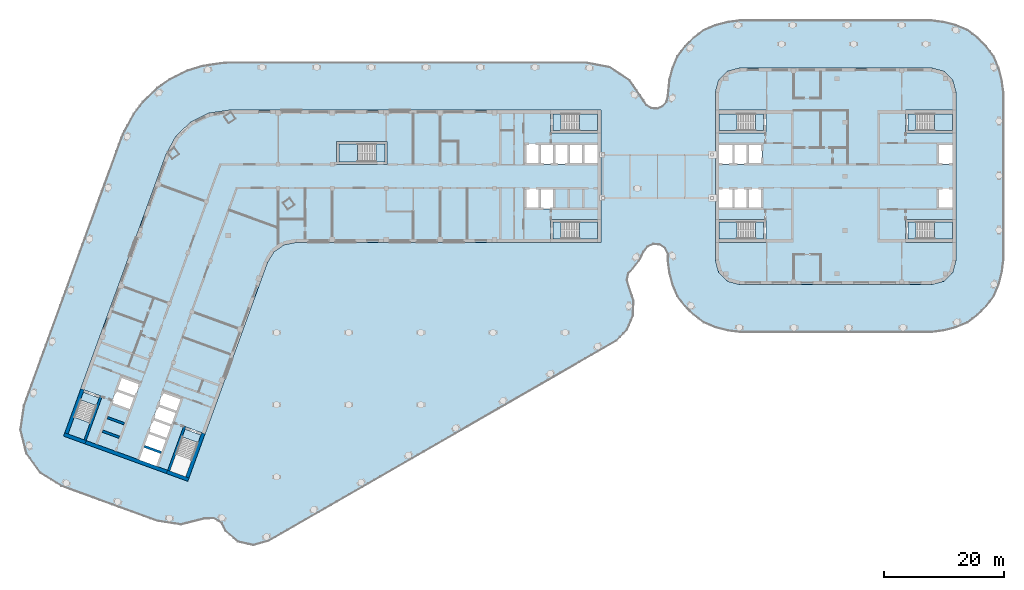
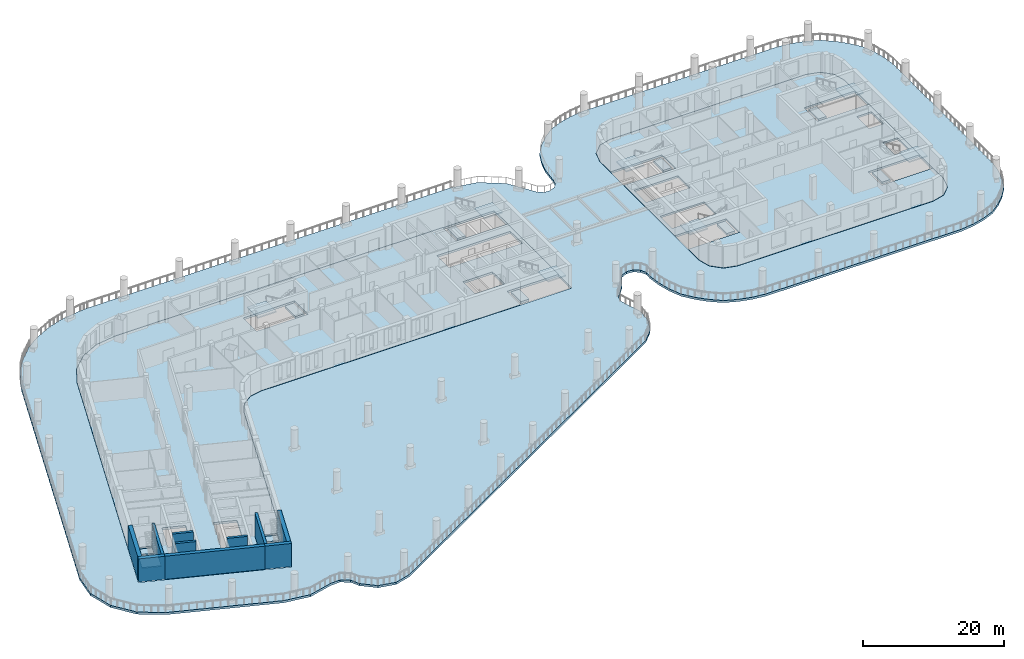
# One storey, part 2 of 18: 20 slabs, 10 walls, 8 elements without a shape of their own.
"""IFC4 building model written with IfcOpenShell, lengths in metres."""

from ifc_helpers import new_model, si_unit, direction, frame, frame_2d, origin, place, context, subcontext, project, spatial, polyline, rectangle, outline, extrude, material, layer, layer_set, type_object, element, aggregate, save


model = new_model("IFC4")

# Units and contexts
model_context = context("Model", 3, precision=1e-05, world=origin(), true_north=direction((0.0, 1.0)))
body_context = subcontext(model_context, "Body", "Model", "MODEL_VIEW")
ifc_project = project(units=[si_unit("LENGTHUNIT", "METRE"), si_unit("AREAUNIT", "SQUARE_METRE"), si_unit("VOLUMEUNIT", "CUBIC_METRE"), si_unit("PLANEANGLEUNIT", "RADIAN"), si_unit("MASSUNIT", "GRAM", prefix="KILO")], contexts=[model_context])

# Site, building, storey
site_placement = place(None, origin())
site = spatial("IfcSite", under=ifc_project, at=site_placement, CompositionType="ELEMENT")
building_placement = place(site_placement, origin())
building = spatial("IfcBuilding", under=site, at=building_placement, Name="Skarvind Civic Tower", CompositionType="ELEMENT")
storey_placement = place(building_placement, frame((0.0, 0.0, 27.5)))
storey = spatial("IfcBuildingStorey", under=building, at=storey_placement, Name="L05", CompositionType="ELEMENT", Elevation=27.5)

# Slabs
ifc_material_1 = material(Name="Concrete C50", Category="concrete")
ifc_layer_1 = layer(ifc_material_1, 0.375)
ifc_layer_set_1 = layer_set([ifc_layer_1], Name="Floor slab 375 C50")
slab_type_1 = type_object("IfcSlabType", Name="Floor slab 375 C50", PredefinedType="FLOOR", material=ifc_layer_set_1)
slab_1_placement = place(storey_placement, frame((0.0, 0.0, -0.375)))
element("IfcSlab", 1, at=slab_1_placement, inside=storey, type_object=slab_type_1, Name="Floor slab L05 1", PredefinedType="FLOOR", context=body_context, shape_type="SweptSolid", body=[
    extrude(outline(polyline([(99.60009765625, 117.0), (99.60009765625, 120.800048828125), (108.0, 120.800048828125), (108.0, 135.199951171875), (99.60009765625, 135.199951171875), (99.60009765625, 139.0), (46.095458984375, 139.0), (42.739501953125, 138.5009765625), (39.6943359375, 137.005615234375), (37.24755859375, 134.6552734375), (35.630615234375, 131.672607421875), (19.41748046875, 87.126708984375), (21.435302734375, 92.6708984375), (25.006103515625, 91.371337890625), (22.13330078125, 83.477783203125), (36.886474609375, 78.108154296875), (35.664794921875, 78.552734375), (38.53759765625, 86.4462890625), (42.108642578125, 85.146484375), (40.0908203125, 79.602294921875), (40.0908203125, 79.602294921875), (52.493896484375, 113.68017578125), (53.560791015625, 115.421630859375), (55.23388671875, 116.593017578125), (57.235107421875, 117.0), (99.60009765625, 117.0)]), holes=[polyline([(32.625244140625, 85.40576171875), (33.446044921875, 87.660888671875), (34.26708984375, 89.916259765625), (35.087890625, 92.17138671875), (38.28271484375, 91.008544921875), (37.4619140625, 88.75341796875), (36.64111328125, 86.498046875), (35.8203125, 84.242919921875), (35.8203125, 84.242919921875), (34.99951171875, 81.987548828125), (34.178466796875, 79.732421875), (30.983642578125, 80.89501953125), (31.804443359375, 83.150390625), (32.625244140625, 85.40576171875), (32.625244140625, 85.40576171875)]), polyline([(31.3291015625, 93.53955078125), (30.50830078125, 91.2841796875), (29.6875, 89.029052734375), (26.492431640625, 90.19189453125), (27.313232421875, 92.447021484375), (28.134033203125, 94.702392578125), (31.3291015625, 93.53955078125)]), polyline([(64.0, 130.0), (64.0, 133.800048828125), (72.39990234375, 133.800048828125), (72.39990234375, 130.0), (64.0, 130.0)]), polyline([(100.199951171875, 126.0), (100.199951171875, 122.60009765625), (97.800048828125, 122.60009765625), (95.39990234375, 122.60009765625), (95.39990234375, 126.0), (97.800048828125, 126.0), (100.199951171875, 126.0)]), polyline([(100.199951171875, 133.39990234375), (102.60009765625, 133.39990234375), (105.0, 133.39990234375), (107.39990234375, 133.39990234375), (107.39990234375, 130.0), (105.0, 130.0), (102.60009765625, 130.0), (100.199951171875, 130.0), (97.800048828125, 130.0), (95.39990234375, 130.0), (95.39990234375, 133.39990234375), (97.800048828125, 133.39990234375), (100.199951171875, 133.39990234375)])]), origin(), (0.0, 0.0, 1.0), 0.375),
])
ifc_layer_2 = layer(ifc_material_1, 0.324951171875)
ifc_layer_set_2 = layer_set([ifc_layer_2], Name="Second tower floor slab 325 C50")
slab_type_2 = type_object("IfcSlabType", Name="Second tower floor slab 325 C50", PredefinedType="FLOOR", material=ifc_layer_set_2)
slab_2_placement = place(storey_placement, frame((0.0, 0.0, -0.324951171875)))
element("IfcSlab", 2, at=slab_2_placement, inside=storey, type_object=slab_type_2, Name="Floor slab L05 1", PredefinedType="FLOOR", context=body_context, shape_type="SweptSolid", body=[
    extrude(outline(polyline([(127.0, 139.0), (135.39990234375, 139.0), (135.39990234375, 135.199951171875), (127.0, 135.199951171875), (127.0, 120.800048828125), (135.39990234375, 120.800048828125), (135.39990234375, 117.0), (127.0, 117.0), (127.0, 114.0), (127.535888671875, 112.0), (129.0, 110.535888671875), (131.0, 110.0), (163.0, 110.0), (165.0, 110.535888671875), (166.464111328125, 112.0), (167.0, 114.0), (167.0, 117.0), (158.60009765625, 117.0), (158.60009765625, 120.800048828125), (167.0, 120.800048828125), (167.0, 135.199951171875), (158.60009765625, 135.199951171875), (158.60009765625, 139.0), (167.0, 139.0), (167.0, 142.0), (166.464111328125, 144.0), (165.0, 145.464111328125), (163.0, 146.0), (131.0, 146.0), (129.0, 145.464111328125), (127.535888671875, 144.0), (127.0, 142.0), (127.0, 139.0)]), holes=[polyline([(132.39990234375, 126.0), (134.800048828125, 126.0), (134.800048828125, 122.60009765625), (132.39990234375, 122.60009765625), (130.0, 122.60009765625), (127.60009765625, 122.60009765625), (127.60009765625, 126.0), (130.0, 126.0), (132.39990234375, 126.0)]), polyline([(130.0, 133.39990234375), (132.39990234375, 133.39990234375), (134.800048828125, 133.39990234375), (134.800048828125, 130.0), (132.39990234375, 130.0), (130.0, 130.0), (127.60009765625, 130.0), (127.60009765625, 133.39990234375), (130.0, 133.39990234375)]), polyline([(166.39990234375, 126.0), (166.39990234375, 122.60009765625), (164.0, 122.60009765625), (164.0, 126.0), (166.39990234375, 126.0)]), polyline([(166.39990234375, 133.39990234375), (166.39990234375, 130.0), (164.0, 130.0), (164.0, 133.39990234375), (166.39990234375, 133.39990234375)])]), origin(), (0.0, 0.0, 1.0), 0.324951171875),
])
ifc_material_2 = material(Name="Concrete C40/50", Category="concrete")
ifc_layer_3 = layer(ifc_material_2, 0.375)
ifc_layer_set_3 = layer_set([ifc_layer_3], Name="Stair floor landing slab 375")
slab_type_3 = type_object("IfcSlabType", Name="Stair floor landing slab 375", PredefinedType="LANDING", material=ifc_layer_set_3)
slab_3_placement = place(storey_placement, frame((0.0, 0.0, -0.375)))
element("IfcSlab", 3, at=slab_3_placement, inside=storey, type_object=slab_type_3, Name="Stair floor landing", PredefinedType="LANDING", context=body_context, shape_type="SweptSolid", body=[
    extrude(outline(polyline([(101.3505859375, 138.400634765625), (101.3505859375, 135.599365234375), (99.99951171875, 135.599365234375), (99.99951171875, 138.400634765625), (101.3505859375, 138.400634765625)])), origin(), (0.0, 0.0, 1.0), 0.375),
])
slab_4_placement = place(storey_placement, frame((0.0, 0.0, -0.375)))
element("IfcSlab", 4, at=slab_4_placement, inside=storey, type_object=slab_type_3, Name="Stair floor landing", PredefinedType="LANDING", context=body_context, shape_type="SweptSolid", body=[
    extrude(outline(polyline([(101.3505859375, 120.400634765625), (101.3505859375, 117.599365234375), (99.99951171875, 117.599365234375), (99.99951171875, 120.400634765625), (101.3505859375, 120.400634765625)])), origin(), (0.0, 0.0, 1.0), 0.375),
])
slab_5_placement = place(storey_placement, frame((0.0, 0.0, -0.375)))
element("IfcSlab", 5, at=slab_5_placement, inside=storey, type_object=slab_type_3, Name="Stair floor landing", PredefinedType="LANDING", context=body_context, shape_type="SweptSolid", body=[
    extrude(outline(polyline([(40.946533203125, 83.70654296875), (38.314208984375, 84.66455078125), (38.7763671875, 85.934326171875), (41.40869140625, 84.976318359375), (40.946533203125, 83.70654296875)])), origin(), (0.0, 0.0, 1.0), 0.375),
])
slab_6_placement = place(storey_placement, frame((0.0, 0.0, -0.375)))
element("IfcSlab", 6, at=slab_6_placement, inside=storey, type_object=slab_type_3, Name="Stair floor landing", PredefinedType="LANDING", context=body_context, shape_type="SweptSolid", body=[
    extrude(outline(polyline([(24.0322265625, 89.863037109375), (21.39990234375, 90.821044921875), (21.862060546875, 92.090576171875), (24.494384765625, 91.132568359375), (24.0322265625, 89.863037109375)])), origin(), (0.0, 0.0, 1.0), 0.375),
])
slab_7_placement = place(storey_placement, frame((0.0, 0.0, -0.375)))
element("IfcSlab", 7, at=slab_7_placement, inside=storey, type_object=slab_type_3, Name="Stair floor landing", PredefinedType="LANDING", context=body_context, shape_type="SweptSolid", body=[
    extrude(outline(polyline([(133.6494140625, 117.599365234375), (133.6494140625, 120.400634765625), (135.00048828125, 120.400634765625), (135.00048828125, 117.599365234375), (133.6494140625, 117.599365234375)])), origin(), (0.0, 0.0, 1.0), 0.375),
])
slab_8_placement = place(storey_placement, frame((0.0, 0.0, -0.375)))
element("IfcSlab", 8, at=slab_8_placement, inside=storey, type_object=slab_type_3, Name="Stair floor landing", PredefinedType="LANDING", context=body_context, shape_type="SweptSolid", body=[
    extrude(outline(polyline([(133.6494140625, 135.599365234375), (133.6494140625, 138.400634765625), (135.00048828125, 138.400634765625), (135.00048828125, 135.599365234375), (133.6494140625, 135.599365234375)])), origin(), (0.0, 0.0, 1.0), 0.375),
])
slab_9_placement = place(storey_placement, frame((0.0, 0.0, -0.375)))
element("IfcSlab", 9, at=slab_9_placement, inside=storey, type_object=slab_type_3, Name="Stair floor landing", PredefinedType="LANDING", context=body_context, shape_type="SweptSolid", body=[
    extrude(outline(polyline([(160.3505859375, 138.400634765625), (160.3505859375, 135.599365234375), (158.99951171875, 135.599365234375), (158.99951171875, 138.400634765625), (160.3505859375, 138.400634765625)])), origin(), (0.0, 0.0, 1.0), 0.375),
])
slab_10_placement = place(storey_placement, frame((0.0, 0.0, -0.375)))
element("IfcSlab", 10, at=slab_10_placement, inside=storey, type_object=slab_type_3, Name="Stair floor landing", PredefinedType="LANDING", context=body_context, shape_type="SweptSolid", body=[
    extrude(outline(polyline([(160.3505859375, 120.400634765625), (160.3505859375, 117.599365234375), (158.99951171875, 117.599365234375), (158.99951171875, 120.400634765625), (160.3505859375, 120.400634765625)])), origin(), (0.0, 0.0, 1.0), 0.375),
])
slab_11_placement = place(storey_placement, frame((0.0, 0.0, -0.375)))
element("IfcSlab", 11, at=slab_11_placement, inside=storey, type_object=slab_type_3, Name="Stair floor landing", PredefinedType="LANDING", context=body_context, shape_type="SweptSolid", body=[
    extrude(outline(polyline([(70.54931640625, 130.3994140625), (70.54931640625, 133.400634765625), (72.00048828125, 133.400634765625), (72.00048828125, 130.3994140625), (70.54931640625, 130.3994140625)])), origin(), (0.0, 0.0, 1.0), 0.375),
])

# Stair, slab
stair_type_1 = type_object("IfcStairType", Name="Exit stair, half-turn, concrete", PredefinedType="HALF_TURN_STAIR", material=ifc_material_2)
stair_1_placement = place(storey_placement, origin())
stair_1 = element("IfcStair", 12, at=stair_1_placement, inside=storey, type_object=stair_type_1, Name="Exit stair C1S", PredefinedType="HALF_TURN_STAIR")
ifc_layer_4 = layer(ifc_material_2, 0.199951171875)
ifc_layer_set_4 = layer_set([ifc_layer_4], Name="Stair half landing slab")
slab_type_4 = type_object("IfcSlabType", Name="Stair half landing slab", PredefinedType="LANDING", material=ifc_layer_set_4)
slab_12_placement = place(storey_placement, frame((0.0, 0.0, 1.800048828125)))
slab_12 = element("IfcSlab", 13, at=slab_12_placement, type_object=slab_type_4, Name="ST-C1S landing 1", PredefinedType="LANDING", context=body_context, shape_type="SweptSolid", body=[
    extrude(outline(polyline([(104.429443359375, 135.599365234375), (104.429443359375, 138.400634765625), (107.400634765625, 138.400634765625), (107.400634765625, 135.599365234375), (104.429443359375, 135.599365234375)])), origin(), (0.0, 0.0, 1.0), 0.199951171875),
])
aggregate(stair_1, [slab_12])

stair_2_placement = place(storey_placement, origin())
stair_2 = element("IfcStair", 14, at=stair_2_placement, inside=storey, type_object=stair_type_1, Name="Exit stair C1N", PredefinedType="HALF_TURN_STAIR")
slab_13_placement = place(storey_placement, frame((0.0, 0.0, 1.800048828125)))
slab_13 = element("IfcSlab", 15, at=slab_13_placement, type_object=slab_type_4, Name="ST-C1N landing 1", PredefinedType="LANDING", context=body_context, shape_type="SweptSolid", body=[
    extrude(outline(polyline([(104.429443359375, 117.599365234375), (104.429443359375, 120.400634765625), (107.400634765625, 120.400634765625), (107.400634765625, 117.599365234375), (104.429443359375, 117.599365234375)])), origin(), (0.0, 0.0, 1.0), 0.199951171875),
])
aggregate(stair_2, [slab_13])

stair_3_placement = place(storey_placement, origin())
stair_3 = element("IfcStair", 16, at=stair_3_placement, inside=storey, type_object=stair_type_1, Name="Exit stair C2N", PredefinedType="HALF_TURN_STAIR")
slab_14_placement = place(storey_placement, frame((0.0, 0.0, 1.800048828125)))
slab_14 = element("IfcSlab", 17, at=slab_14_placement, type_object=slab_type_4, Name="ST-C2N landing 1", PredefinedType="LANDING", context=body_context, shape_type="SweptSolid", body=[
    extrude(outline(polyline([(20.346923828125, 87.927734375), (22.97900390625, 86.9697265625), (21.962890625, 84.177734375), (19.33056640625, 85.1357421875), (20.346923828125, 87.927734375)])), origin(), (0.0, 0.0, 1.0), 0.199951171875),
])
aggregate(stair_3, [slab_14])

stair_4_placement = place(storey_placement, origin())
stair_4 = element("IfcStair", 18, at=stair_4_placement, inside=storey, type_object=stair_type_1, Name="Exit stair CAS", PredefinedType="HALF_TURN_STAIR")
slab_15_placement = place(storey_placement, frame((0.0, 0.0, 1.800048828125)))
slab_15 = element("IfcSlab", 19, at=slab_15_placement, type_object=slab_type_4, Name="ST-CAS landing 1", PredefinedType="LANDING", context=body_context, shape_type="SweptSolid", body=[
    extrude(outline(polyline([(130.570556640625, 120.400634765625), (130.570556640625, 117.599365234375), (127.599365234375, 117.599365234375), (127.599365234375, 120.400634765625), (130.570556640625, 120.400634765625)])), origin(), (0.0, 0.0, 1.0), 0.199951171875),
])
aggregate(stair_4, [slab_15])

stair_5_placement = place(storey_placement, origin())
stair_5 = element("IfcStair", 20, at=stair_5_placement, inside=storey, type_object=stair_type_1, Name="Exit stair CAN", PredefinedType="HALF_TURN_STAIR")
slab_16_placement = place(storey_placement, frame((0.0, 0.0, 1.800048828125)))
slab_16 = element("IfcSlab", 21, at=slab_16_placement, type_object=slab_type_4, Name="ST-CAN landing 1", PredefinedType="LANDING", context=body_context, shape_type="SweptSolid", body=[
    extrude(outline(polyline([(130.570556640625, 138.400634765625), (130.570556640625, 135.599365234375), (127.599365234375, 135.599365234375), (127.599365234375, 138.400634765625), (130.570556640625, 138.400634765625)])), origin(), (0.0, 0.0, 1.0), 0.199951171875),
])
aggregate(stair_5, [slab_16])

stair_6_placement = place(storey_placement, origin())
stair_6 = element("IfcStair", 22, at=stair_6_placement, inside=storey, type_object=stair_type_1, Name="Exit stair CBS", PredefinedType="HALF_TURN_STAIR")
slab_17_placement = place(storey_placement, frame((0.0, 0.0, 1.800048828125)))
slab_17 = element("IfcSlab", 23, at=slab_17_placement, type_object=slab_type_4, Name="ST-CBS landing 1", PredefinedType="LANDING", context=body_context, shape_type="SweptSolid", body=[
    extrude(outline(polyline([(163.429443359375, 135.599365234375), (163.429443359375, 138.400634765625), (166.400634765625, 138.400634765625), (166.400634765625, 135.599365234375), (163.429443359375, 135.599365234375)])), origin(), (0.0, 0.0, 1.0), 0.199951171875),
])
aggregate(stair_6, [slab_17])

stair_7_placement = place(storey_placement, origin())
stair_7 = element("IfcStair", 24, at=stair_7_placement, inside=storey, type_object=stair_type_1, Name="Exit stair CBN", PredefinedType="HALF_TURN_STAIR")
slab_18_placement = place(storey_placement, frame((0.0, 0.0, 1.800048828125)))
slab_18 = element("IfcSlab", 25, at=slab_18_placement, type_object=slab_type_4, Name="ST-CBN landing 1", PredefinedType="LANDING", context=body_context, shape_type="SweptSolid", body=[
    extrude(outline(polyline([(163.429443359375, 117.599365234375), (163.429443359375, 120.400634765625), (166.400634765625, 120.400634765625), (166.400634765625, 117.599365234375), (163.429443359375, 117.599365234375)])), origin(), (0.0, 0.0, 1.0), 0.199951171875),
])
aggregate(stair_7, [slab_18])

stair_type_2 = type_object("IfcStairType", Name="Exit stair 1450, half-turn, concrete", PredefinedType="HALF_TURN_STAIR", material=ifc_material_2)
stair_8_placement = place(storey_placement, origin())
stair_8 = element("IfcStair", 26, at=stair_8_placement, inside=storey, type_object=stair_type_2, Name="Exit stair CM", PredefinedType="HALF_TURN_STAIR")
slab_19_placement = place(storey_placement, frame((0.0, 0.0, 1.800048828125)))
slab_19 = element("IfcSlab", 27, at=slab_19_placement, type_object=slab_type_4, Name="ST-CM landing 1", PredefinedType="LANDING", context=body_context, shape_type="SweptSolid", body=[
    extrude(outline(polyline([(67.470703125, 133.400634765625), (67.470703125, 130.3994140625), (64.3994140625, 130.3994140625), (64.3994140625, 133.400634765625), (67.470703125, 133.400634765625)])), origin(), (0.0, 0.0, 1.0), 0.199951171875),
])
aggregate(stair_8, [slab_19])

# Slab
ifc_layer_5 = layer(ifc_material_1, 0.375)
ifc_layer_set_5 = layer_set([ifc_layer_5], Name="Terrace slab 375 C50")
slab_type_5 = type_object("IfcSlabType", Name="Terrace slab 375 C50", PredefinedType="FLOOR", material=ifc_layer_set_5)
slab_20_placement = place(storey_placement, frame((0.0, 0.0, -0.425048828125)))
element("IfcSlab", 28, at=slab_20_placement, inside=storey, type_object=slab_type_5, Name="Terrace slab L05 1", PredefinedType="FLOOR", context=body_context, shape_type="SweptSolid", body=[
    extrude(outline(polyline([(47.523193359375, 67.14111328125), (50.15625, 66.555419921875), (52.751220703125, 67.291015625), (110.5869140625, 100.577880859375), (112.365234375, 102.4130859375), (113.374267578125, 104.760986328125), (113.4814453125, 107.314208984375), (112.6728515625, 109.73828125), (112.37109375, 110.751953125), (112.6005859375, 111.7841796875), (113.303466796875, 112.57470703125), (114.366455078125, 113.885009765625), (115.1328125, 115.388427734375), (115.75048828125, 116.2119140625), (116.6904296875, 116.63232421875), (117.716064453125, 116.54345703125), (118.56982421875, 115.968017578125), (119.036865234375, 115.05078125), (119.0, 114.021728515625), (119.2783203125, 111.908447265625), (119.8017578125, 109.95458984375), (120.610107421875, 108.001220703125), (121.897705078125, 106.32470703125), (123.32470703125, 104.897705078125), (125.001220703125, 103.610107421875), (126.95458984375, 102.8017578125), (128.908447265625, 102.2783203125), (131.021728515625, 102.0), (162.978271484375, 102.0), (165.091552734375, 102.2783203125), (167.04541015625, 102.8017578125), (168.998779296875, 103.610107421875), (170.67529296875, 104.897705078125), (172.102294921875, 106.32470703125), (173.389892578125, 108.001220703125), (174.1982421875, 109.95458984375), (174.7216796875, 111.908447265625), (175.0, 114.021728515625), (175.0, 141.978271484375), (174.7216796875, 144.091552734375), (174.1982421875, 146.04541015625), (173.389892578125, 147.998779296875), (172.102294921875, 149.67529296875), (170.67529296875, 151.102294921875), (168.998779296875, 152.389892578125), (167.04541015625, 153.1982421875), (165.091552734375, 153.7216796875), (162.978271484375, 154.0), (131.021728515625, 154.0), (128.908447265625, 153.7216796875), (126.95458984375, 153.1982421875), (125.001220703125, 152.389892578125), (123.32470703125, 151.102294921875), (121.897705078125, 149.67529296875), (120.610107421875, 147.998779296875), (119.8017578125, 146.04541015625), (119.2783203125, 144.091552734375), (119.0, 141.328369140625), (118.785400390625, 140.427490234375), (118.18798828125, 139.7197265625), (117.336181640625, 139.356689453125), (116.411865234375, 139.41650390625), (115.613525390625, 139.885986328125), (115.1123046875, 140.664794921875), (112.829345703125, 144.004638671875), (109.44921875, 146.227294921875), (105.478271484375, 147.0), (46.114013671875, 147.0), (44.900390625, 146.910400390625), (41.58837890625, 146.417724609375), (39.1904296875, 145.67041015625), (36.191162109375, 144.19775390625), (34.1337890625, 142.757080078125), (31.72412109375, 140.442626953125), (30.201904296875, 138.44482421875), (28.606201171875, 135.5009765625), (28.10693359375, 134.391357421875), (11.9072265625, 89.883544921875), (11.325439453125, 85.83349609375), (12.311279296875, 81.862548828125), (14.719482421875, 78.554931640625), (18.19580078125, 76.3974609375), (34.129638671875, 70.59814453125), (38.114990234375, 69.990478515625), (42.026611328125, 70.964111328125), (43.532470703125, 71.034423828125), (44.827880859375, 70.263916015625), (45.484619140625, 68.9072265625), (47.523193359375, 67.14111328125)]), holes=[polyline([(53.560791015625, 115.421630859375), (52.493896484375, 113.68017578125), (40.0908203125, 79.602294921875), (40.0908203125, 79.602294921875), (39.235595703125, 77.253173828125), (36.886474609375, 78.108154296875), (22.13330078125, 83.477783203125), (22.13330078125, 83.477783203125), (18.5625, 84.777587890625), (19.41748046875, 87.126708984375), (35.630615234375, 131.672607421875), (37.24755859375, 134.6552734375), (39.6943359375, 137.005615234375), (42.739501953125, 138.5009765625), (46.095458984375, 139.0), (99.60009765625, 139.0), (105.5, 139.0), (108.0, 139.0), (108.0, 136.5), (108.0, 135.199951171875), (108.0, 120.800048828125), (108.0, 119.5), (108.0, 117.0), (105.5, 117.0), (99.60009765625, 117.0), (57.235107421875, 117.0), (55.23388671875, 116.593017578125), (53.560791015625, 115.421630859375)]), polyline([(131.0, 146.0), (163.0, 146.0), (165.0, 145.464111328125), (166.464111328125, 144.0), (167.0, 142.0), (167.0, 139.0), (167.0, 135.199951171875), (167.0, 120.800048828125), (167.0, 117.0), (167.0, 114.0), (166.464111328125, 112.0), (165.0, 110.535888671875), (163.0, 110.0), (131.0, 110.0), (129.0, 110.535888671875), (127.535888671875, 112.0), (127.0, 114.0), (127.0, 117.0), (127.0, 120.800048828125), (127.0, 135.199951171875), (127.0, 139.0), (127.0, 142.0), (127.535888671875, 144.0), (129.0, 145.464111328125), (131.0, 146.0)])]), origin(), (0.0, 0.0, 1.0), 0.375),
])

# Walls
ifc_material_3 = material(Name="Concrete C80", Category="concrete")
ifc_layer_6 = layer(ifc_material_3, 0.39990234375)
ifc_layer_set_6 = layer_set([ifc_layer_6], Name="Core wall 400 C80")
wall_type_1 = type_object("IfcWallType", Name="Core wall 400 C80", PredefinedType="SHEAR", material=ifc_layer_set_6)
for number, where, z_axis, x_axis, name in (
    (29, (36.057861328125, 79.04833984375, 0.0), (0.0, 0.0, 1.0), (0.342016982193, 0.939693771338, 0.0), "Core wall C2 south stair inner L05"),
    (30, (22.150390625, 84.110107421875, 0.0), (0.0, 0.0, 1.0), (0.342016982193, 0.939693771338, 0.0), "Core wall C2 north stair inner L05"),
):
    element("IfcWall", number, at=place(storey_placement, frame(where, z_axis=z_axis, x_axis=x_axis)), inside=storey, type_object=wall_type_1, Name=name, PredefinedType="SHEAR", context=body_context, shape_type="SweptSolid", body=[
        extrude(rectangle(XDim=7.800048828125, YDim=0.39990234375, at=frame_2d((3.89990234375, 0.0))), origin(), (0.0, 0.0, 1.0), 4.0),
    ])
for number, where, z_axis, x_axis, name in (
    (31, (34.8115234375, 82.055908203125, 0.0), (0.0, 0.0, 1.0), (-0.939686455819, 0.342037080957, 0.0), "Core wall C2 south lift row division 1 L05"),
    (32, (27.857666015625, 84.5869140625, 0.0), (0.0, 0.0, 1.0), (-0.939686455819, 0.342037080957, 0.0), "Core wall C2 north lift row division 1 L05"),
):
    element("IfcWall", number, at=place(storey_placement, frame(where, z_axis=z_axis, x_axis=x_axis)), inside=storey, type_object=wall_type_1, Name=name, PredefinedType="SHEAR", context=body_context, shape_type="SweptSolid", body=[
        extrude(rectangle(XDim=3.0, YDim=0.39990234375, at=frame_2d((1.5, 0.0))), origin(), (0.0, 0.0, 1.0), 4.0),
    ])
wall_1_placement = place(storey_placement, frame((28.678466796875, 86.842041015625, 0.0), z_axis=(0.0, 0.0, 1.0), x_axis=(-0.939676934218, 0.342063238742, 0.0)))
element("IfcWall", 33, at=wall_1_placement, inside=storey, type_object=wall_type_1, Name="Core wall C2 north lift row division 2 L05", PredefinedType="SHEAR", context=body_context, shape_type="SweptSolid", body=[
    extrude(rectangle(XDim=2.999755859375, YDim=0.39990234375, at=frame_2d((1.5, 0.0))), origin(), (0.0, 0.0, 1.0), 4.0),
])
ifc_layer_7 = layer(ifc_material_3, 0.60009765625)
ifc_layer_set_7 = layer_set([ifc_layer_7], Name="Core wall 600 C80")
wall_type_2 = type_object("IfcWallType", Name="Core wall 600 C80", PredefinedType="SHEAR", material=ifc_layer_set_7)
wall_2_placement = place(storey_placement, frame((39.338134765625, 77.53515625, 0.0), z_axis=(0.0, 0.0, 1.0), x_axis=(-0.939701471648, 0.341995824804, 0.0)))
element("IfcWall", 34, at=wall_2_placement, inside=storey, type_object=wall_type_2, Name="Core wall C2 tip at the south stair L05", PredefinedType="SHEAR", context=body_context, shape_type="SweptSolid", body=[
    extrude(rectangle(XDim=3.800048828125, YDim=0.60009765625, at=frame_2d((1.89990234375, 0.0))), origin(), (0.0, 0.0, 1.0), 4.0),
])
wall_3_placement = place(storey_placement, frame((35.767333984375, 78.834716796875, 0.0), z_axis=(0.0, 0.0, 1.0), x_axis=(-0.939692894512, 0.342019391267, 0.0)))
element("IfcWall", 35, at=wall_3_placement, inside=storey, type_object=wall_type_2, Name="Core wall C2 tip between the stairs L05", PredefinedType="SHEAR", context=body_context, shape_type="SweptSolid", body=[
    extrude(rectangle(XDim=14.39990234375, YDim=0.60009765625, at=frame_2d((7.199951171875, 0.0))), origin(), (0.0, 0.0, 1.0), 4.0),
])
wall_4_placement = place(storey_placement, frame((22.23583984375, 83.759765625, 0.0), z_axis=(0.0, 0.0, 1.0), x_axis=(-0.939680822529, 0.342052557032, 0.0)))
element("IfcWall", 36, at=wall_4_placement, inside=storey, type_object=wall_type_2, Name="Core wall C2 tip at the north stair L05", PredefinedType="SHEAR", context=body_context, shape_type="SweptSolid", body=[
    extrude(rectangle(XDim=3.800048828125, YDim=0.60009765625, at=frame_2d((1.89990234375, 0.0))), origin(), (0.0, 0.0, 1.0), 4.0),
])
for number, where, z_axis, x_axis, name in (
    (37, (39.158935546875, 77.919677734375, 0.0), (0.0, 0.0, 1.0), (0.342016982193, 0.939693771338, 0.0), "Core wall C2 south side at the stair L05"),
    (38, (19.049560546875, 85.23876953125, 0.0), (0.0, 0.0, 1.0), (0.342016982193, 0.939693771338, 0.0), "Core wall C2 north side at the stair L05"),
):
    element("IfcWall", number, at=place(storey_placement, frame(where, z_axis=z_axis, x_axis=x_axis)), inside=storey, type_object=wall_type_2, Name=name, PredefinedType="SHEAR", context=body_context, shape_type="SweptSolid", body=[
        extrude(rectangle(XDim=7.800048828125, YDim=0.60009765625, at=frame_2d((3.89990234375, 0.0))), origin(), (0.0, 0.0, 1.0), 4.0),
    ])

save(model, "model.ifc")
